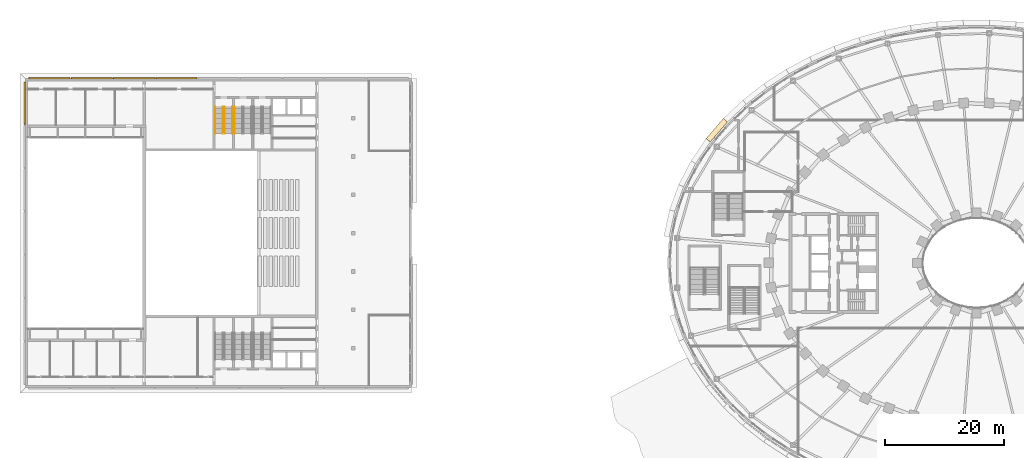
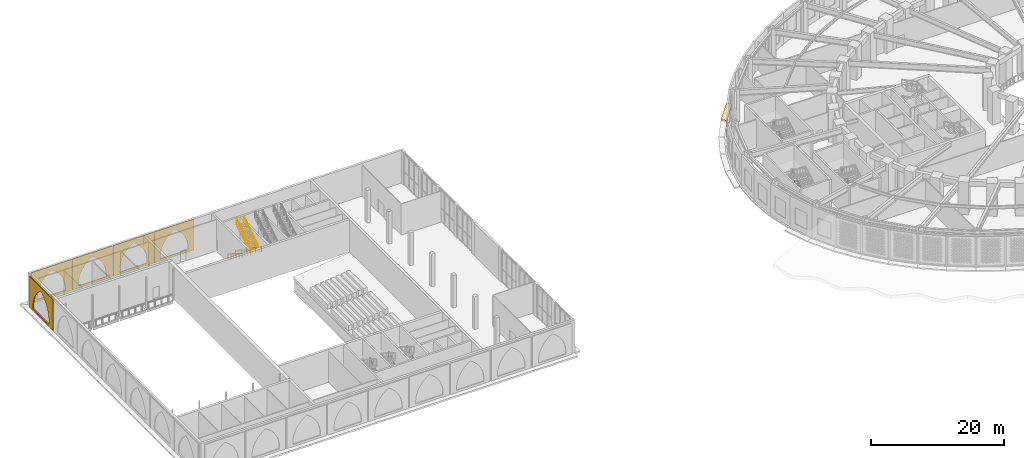
# One storey, part 46 of 74: 6 coverings, 5 railings.
"""IFC4 building model written with IfcOpenShell, lengths in metres."""

from ifc_helpers import new_model, si_unit, direction, frame, origin, origin_2d, place, context, subcontext, project, spatial, polyline, rectangle, outline, extrude, material, layer, layer_set, type_object, element, save


model = new_model("IFC4")

# Units and contexts
model_context = context("Model", 3, precision=1e-05, world=origin(), true_north=direction((0.0, 1.0)))
body_context = subcontext(model_context, "Body", "Model", "MODEL_VIEW")
ifc_project = project(units=[si_unit("LENGTHUNIT", "METRE"), si_unit("AREAUNIT", "SQUARE_METRE"), si_unit("VOLUMEUNIT", "CUBIC_METRE"), si_unit("PLANEANGLEUNIT", "RADIAN"), si_unit("MASSUNIT", "GRAM", prefix="KILO")], contexts=[model_context])

# Site, building, storey
site_placement = place(None, origin())
site = spatial("IfcSite", under=ifc_project, at=site_placement, CompositionType="ELEMENT")
building_placement = place(site_placement, origin())
building = spatial("IfcBuilding", under=site, at=building_placement, Name="Noorbagh Ring Tower", CompositionType="ELEMENT")
storey_placement = place(building_placement, frame((0.0, 0.0, 7.5)))
storey = spatial("IfcBuildingStorey", under=building, at=storey_placement, Name="L01", CompositionType="ELEMENT", Elevation=7.5)

# Coverings
ifc_material_1 = material(Name="Red sandstone cladding", Category="masonry")
ifc_layer = layer(ifc_material_1, 0.14990234375)
ifc_layer_set = layer_set([ifc_layer], Name="Red sandstone cladding")
covering_type_1 = type_object("IfcCoveringType", Name="STH-BLIND", PredefinedType="USERDEFINED", material=ifc_layer_set)
for number, where, z_axis, x_axis, name in (
    (1, (-131.155517578125, 31.14990234375, 0.0), (0.0, 1.0, 0.0), (-1.0, 0.0, 0.0), "Blind arch bay"),
    (2, (-138.2666015625, 31.14990234375, 0.0), (0.0, 1.0, 0.0), (-1.0, 0.0, 0.0), "Blind arch bay"),
    (3, (-145.377685546875, 31.14990234375, 0.0), (0.0, 1.0, 0.0), (-1.0, 0.0, 0.0), "Blind arch bay"),
):
    element("IfcCovering", number, at=place(storey_placement, frame(where, z_axis=z_axis, x_axis=x_axis)), inside=storey, type_object=covering_type_1, Name=name, ObjectType="ARCH", PredefinedType="USERDEFINED", context=body_context, shape_type="SweptSolid", body=[
        extrude(outline(polyline([(0.0, 0.0), (6.9111328125, 0.0), (6.9111328125, 5.699951171875), (0.0, 5.699951171875), (0.0, 0.0)]), holes=[polyline([(1.0556640625, 0.39990234375), (1.0556640625, 0.800048828125), (1.0966796875, 1.426513671875), (1.21923828125, 2.042236328125), (1.4208984375, 2.636962890625), (1.69873046875, 3.199951171875), (2.047607421875, 3.72216796875), (2.46142578125, 4.194091796875), (2.93359375, 4.608154296875), (3.45556640625, 4.956787109375), (3.977783203125, 4.608154296875), (4.44970703125, 4.194091796875), (4.86376953125, 3.72216796875), (5.21240234375, 3.199951171875), (5.490234375, 2.636962890625), (5.69189453125, 2.042236328125), (5.814453125, 1.426513671875), (5.855712890625, 0.800048828125), (5.855712890625, 0.39990234375), (1.0556640625, 0.39990234375)])]), origin(), (0.0, 0.0, -1.0), 0.14990234375),
    ])
covering_1_placement = place(storey_placement, frame((-152.489013671875, 31.14990234375, 0.0), z_axis=(0.0, 1.0, 0.0), x_axis=(-1.0, 0.0, 0.0)))
element("IfcCovering", 4, at=covering_1_placement, inside=storey, type_object=covering_type_1, Name="Blind arch bay", ObjectType="ARCH", PredefinedType="USERDEFINED", context=body_context, shape_type="SweptSolid", body=[
    extrude(outline(polyline([(0.0, 0.0), (6.910888671875, 0.0), (6.910888671875, 5.699951171875), (0.0, 5.699951171875), (0.0, 0.0)]), holes=[polyline([(1.0556640625, 0.39990234375), (1.0556640625, 0.800048828125), (1.0966796875, 1.426513671875), (1.21923828125, 2.042236328125), (1.4208984375, 2.636962890625), (1.69873046875, 3.199951171875), (2.047607421875, 3.72216796875), (2.46142578125, 4.194091796875), (2.93359375, 4.608154296875), (3.45556640625, 4.956787109375), (3.977783203125, 4.608154296875), (4.44970703125, 4.194091796875), (4.86376953125, 3.72216796875), (5.21240234375, 3.199951171875), (5.490234375, 2.636962890625), (5.69189453125, 2.042236328125), (5.814453125, 1.426513671875), (5.855712890625, 0.800048828125), (5.855712890625, 0.39990234375), (1.0556640625, 0.39990234375)])]), origin(), (0.0, 0.0, -1.0), 0.14990234375),
])
covering_2_placement = place(storey_placement, frame((-160.14990234375, 30.39990234375, 0.0), z_axis=(-1.0, 0.0, 0.0), x_axis=(0.0, -1.0, 0.0)))
element("IfcCovering", 5, at=covering_2_placement, inside=storey, type_object=covering_type_1, Name="Blind arch bay", ObjectType="ARCH", PredefinedType="USERDEFINED", context=body_context, shape_type="SweptSolid", body=[
    extrude(outline(polyline([(0.0, 0.0), (7.085693359375, 0.0), (7.085693359375, 5.699951171875), (0.0, 5.699951171875), (0.0, 0.0)]), holes=[polyline([(1.142822265625, 0.39990234375), (1.142822265625, 0.800048828125), (1.18408203125, 1.426513671875), (1.306396484375, 2.042236328125), (1.50830078125, 2.636962890625), (1.785888671875, 3.199951171875), (2.134765625, 3.72216796875), (2.548828125, 4.194091796875), (3.020751953125, 4.608154296875), (3.54296875, 4.956787109375), (4.06494140625, 4.608154296875), (4.537109375, 4.194091796875), (4.950927734375, 3.72216796875), (5.2998046875, 3.199951171875), (5.577392578125, 2.636962890625), (5.779296875, 2.042236328125), (5.90185546875, 1.426513671875), (5.94287109375, 0.800048828125), (5.94287109375, 0.39990234375), (1.142822265625, 0.39990234375)])]), origin(), (0.0, 0.0, -1.0), 0.14990234375),
])
ifc_material_2 = material(Name="Red sandstone eave", Category="masonry")
covering_type_2 = type_object("IfcCoveringType", Name="STY-CHHAJJA", PredefinedType="USERDEFINED", material=ifc_material_2)
covering_3_placement = place(storey_placement, frame((0.0, 0.0, -0.25)))
element("IfcCovering", 6, at=covering_3_placement, inside=storey, type_object=covering_type_2, Name="Chhajja eave", ObjectType="CHHAJJA", PredefinedType="USERDEFINED", context=body_context, shape_type="SweptSolid", body=[
    extrude(outline(polyline([(-41.906494140625, 23.682373046875), (-44.77001953125, 20.346923828125), (-45.485595703125, 20.89501953125), (-42.55908203125, 24.3037109375), (-41.906494140625, 23.682373046875)])), origin(), (0.0, 0.0, 1.0), 0.25),
])

# Railings
ifc_material_3 = material(Name="Stainless steel", Category="steel")
railing_type_1 = type_object("IfcRailingType", Name="TH-STAIR-GUARD", PredefinedType="GUARDRAIL", material=ifc_material_3)
railing_1_placement = place(storey_placement, frame((-126.75, 26.25, 0.176513671875)))
element("IfcRailing", 7, at=railing_1_placement, inside=storey, type_object=railing_type_1, Name="L01 TSN3 stair guard 1", PredefinedType="GUARDRAIL", context=body_context, shape_type="SweptSolid", body=[
    extrude(rectangle(XDim=0.048095703125, YDim=0.048095703125, at=origin_2d()), frame((0.0, 0.0, 1.076171875), z_axis=(0.0, -0.845997938375, 0.533186166611), x_axis=(1.0, 0.0, 0.0)), (0.0, 0.0, 1.0), 5.29541015625),
    extrude(rectangle(XDim=0.0419921875, YDim=0.0419921875, at=origin_2d()), origin(), (0.0, 0.0, 1.0), 1.052001953125),
    extrude(rectangle(XDim=0.0419921875, YDim=0.0419921875, at=origin_2d()), frame((0.0, -0.89599609375, 0.564697265625)), (0.0, 0.0, 1.0), 1.052001953125),
    extrude(rectangle(XDim=0.0419921875, YDim=0.0419921875, at=origin_2d()), frame((0.0, -1.7919921875, 1.12939453125)), (0.0, 0.0, 1.0), 1.052001953125),
    extrude(rectangle(XDim=0.0419921875, YDim=0.0419921875, at=origin_2d()), frame((0.0, -2.68798828125, 1.694091796875)), (0.0, 0.0, 1.0), 1.052001953125),
    extrude(rectangle(XDim=0.0419921875, YDim=0.0419921875, at=origin_2d()), frame((0.0, -3.583984375, 2.2587890625)), (0.0, 0.0, 1.0), 1.052001953125),
    extrude(rectangle(XDim=0.0419921875, YDim=0.0419921875, at=origin_2d()), frame((0.0, -4.47998046875, 2.823486328125)), (0.0, 0.0, 1.0), 1.052001953125),
])
railing_2_placement = place(storey_placement, frame((-126.5, 21.77001953125, 3.176513671875)))
element("IfcRailing", 8, at=railing_2_placement, inside=storey, type_object=railing_type_1, Name="L01 TSN3 stair guard 3", PredefinedType="GUARDRAIL", context=body_context, shape_type="SweptSolid", body=[
    extrude(rectangle(XDim=0.048095703125, YDim=0.048095703125, at=origin_2d()), frame((0.0, 0.0, 1.076171875), z_axis=(0.0, 0.845997938375, 0.533186166611), x_axis=(-1.0, 0.0, 0.0)), (0.0, 0.0, 1.0), 5.29541015625),
    extrude(rectangle(XDim=0.0419921875, YDim=0.0419921875, at=origin_2d()), origin(), (0.0, 0.0, 1.0), 1.052001953125),
    extrude(rectangle(XDim=0.0419921875, YDim=0.0419921875, at=origin_2d()), frame((0.0, 0.89599609375, 0.564697265625)), (0.0, 0.0, 1.0), 1.052001953125),
    extrude(rectangle(XDim=0.0419921875, YDim=0.0419921875, at=origin_2d()), frame((0.0, 1.7919921875, 1.12939453125)), (0.0, 0.0, 1.0), 1.052001953125),
    extrude(rectangle(XDim=0.0419921875, YDim=0.0419921875, at=origin_2d()), frame((0.0, 2.68798828125, 1.694091796875)), (0.0, 0.0, 1.0), 1.052001953125),
    extrude(rectangle(XDim=0.0419921875, YDim=0.0419921875, at=origin_2d()), frame((0.0, 3.583984375, 2.2587890625)), (0.0, 0.0, 1.0), 1.052001953125),
    extrude(rectangle(XDim=0.0419921875, YDim=0.0419921875, at=origin_2d()), frame((0.0, 4.47998046875, 2.823486328125)), (0.0, 0.0, 1.0), 1.052001953125),
])
ifc_material_4 = material(Name="Stainless steel", Category="steel")
railing_type_2 = type_object("IfcRailingType", Name="TH-STAIR-HANDRAIL", PredefinedType="HANDRAIL", material=ifc_material_4)
for number, where, name in (
    (9, (-124.800048828125, 26.25, 0.176513671875), "L01 TSN1 stair handrail 1"),
    (10, (-128.050048828125, 26.25, 0.176513671875), "L01 TSN3 stair handrail 1"),
):
    element("IfcRailing", number, at=place(storey_placement, frame(where)), inside=storey, type_object=railing_type_2, Name=name, PredefinedType="HANDRAIL", context=body_context, shape_type="SweptSolid", body=[
        extrude(rectangle(XDim=0.048095703125, YDim=0.048095703125, at=origin_2d()), frame((0.0, 0.0, 0.8759765625), z_axis=(0.0, -0.845997938375, 0.533186166611), x_axis=(1.0, 0.0, 0.0)), (0.0, 0.0, 1.0), 5.29541015625),
        extrude(rectangle(XDim=0.0419921875, YDim=0.0419921875, at=origin_2d()), origin(), (0.0, 0.0, 1.0), 0.851806640625),
        extrude(rectangle(XDim=0.0419921875, YDim=0.0419921875, at=origin_2d()), frame((0.0, -0.89599609375, 0.564697265625)), (0.0, 0.0, 1.0), 0.851806640625),
        extrude(rectangle(XDim=0.0419921875, YDim=0.0419921875, at=origin_2d()), frame((0.0, -1.7919921875, 1.12939453125)), (0.0, 0.0, 1.0), 0.851806640625),
        extrude(rectangle(XDim=0.0419921875, YDim=0.0419921875, at=origin_2d()), frame((0.0, -2.68798828125, 1.694091796875)), (0.0, 0.0, 1.0), 0.851806640625),
        extrude(rectangle(XDim=0.0419921875, YDim=0.0419921875, at=origin_2d()), frame((0.0, -3.583984375, 2.2587890625)), (0.0, 0.0, 1.0), 0.851806640625),
        extrude(rectangle(XDim=0.0419921875, YDim=0.0419921875, at=origin_2d()), frame((0.0, -4.47998046875, 2.823486328125)), (0.0, 0.0, 1.0), 0.851806640625),
    ])
railing_3_placement = place(storey_placement, frame((-125.199951171875, 21.77001953125, 3.176513671875)))
element("IfcRailing", 11, at=railing_3_placement, inside=storey, type_object=railing_type_2, Name="L01 TSN3 stair handrail 2", PredefinedType="HANDRAIL", context=body_context, shape_type="SweptSolid", body=[
    extrude(rectangle(XDim=0.048095703125, YDim=0.048095703125, at=origin_2d()), frame((0.0, 0.0, 0.8759765625), z_axis=(0.0, 0.845997938375, 0.533186166611), x_axis=(-1.0, 0.0, 0.0)), (0.0, 0.0, 1.0), 5.29541015625),
    extrude(rectangle(XDim=0.0419921875, YDim=0.0419921875, at=origin_2d()), origin(), (0.0, 0.0, 1.0), 0.851806640625),
    extrude(rectangle(XDim=0.0419921875, YDim=0.0419921875, at=origin_2d()), frame((0.0, 0.89599609375, 0.564697265625)), (0.0, 0.0, 1.0), 0.851806640625),
    extrude(rectangle(XDim=0.0419921875, YDim=0.0419921875, at=origin_2d()), frame((0.0, 1.7919921875, 1.12939453125)), (0.0, 0.0, 1.0), 0.851806640625),
    extrude(rectangle(XDim=0.0419921875, YDim=0.0419921875, at=origin_2d()), frame((0.0, 2.68798828125, 1.694091796875)), (0.0, 0.0, 1.0), 0.851806640625),
    extrude(rectangle(XDim=0.0419921875, YDim=0.0419921875, at=origin_2d()), frame((0.0, 3.583984375, 2.2587890625)), (0.0, 0.0, 1.0), 0.851806640625),
    extrude(rectangle(XDim=0.0419921875, YDim=0.0419921875, at=origin_2d()), frame((0.0, 4.47998046875, 2.823486328125)), (0.0, 0.0, 1.0), 0.851806640625),
])

save(model, "model.ifc")
